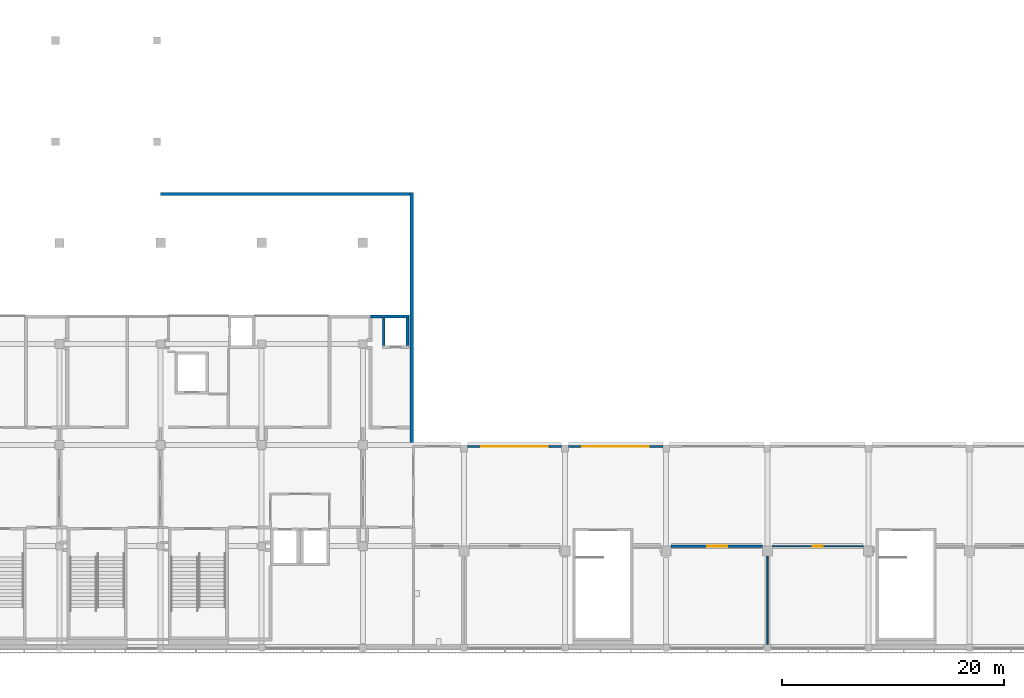
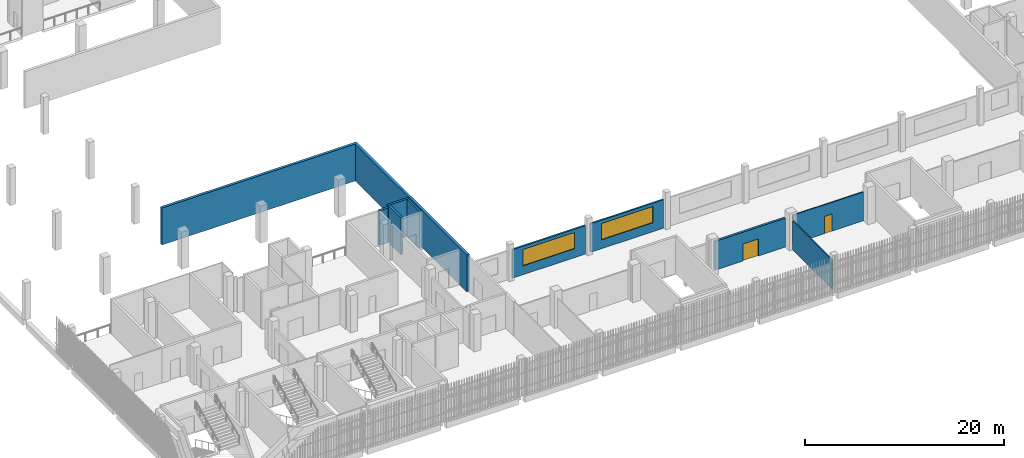
# One storey, part 56 of 104: 11 walls, 2 doors, 2 windows, 4 openings.
"""IFC4 building model written with IfcOpenShell, lengths in metres."""

from ifc_helpers import new_model, si_unit, direction, frame, frame_2d, origin, place, context, subcontext, project, spatial, rectangle, extrude, material, layer, layer_set, type_object, element, fill, save


model = new_model("IFC4")

# Units and contexts
model_context = context("Model", 3, precision=1e-05, world=origin(), true_north=direction((0.0, 1.0)))
body_context = subcontext(model_context, "Body", "Model", "MODEL_VIEW")
ifc_project = project(units=[si_unit("LENGTHUNIT", "METRE"), si_unit("AREAUNIT", "SQUARE_METRE"), si_unit("VOLUMEUNIT", "CUBIC_METRE"), si_unit("PLANEANGLEUNIT", "RADIAN"), si_unit("MASSUNIT", "GRAM", prefix="KILO")], contexts=[model_context])

# Site, building, storey
site_placement = place(None, origin())
site = spatial("IfcSite", under=ifc_project, at=site_placement, CompositionType="ELEMENT")
building_placement = place(site_placement, origin())
building = spatial("IfcBuilding", under=site, at=building_placement, Name="Shirokan Park Arena", CompositionType="ELEMENT")
storey_placement = place(building_placement, frame((0.0, 0.0, 10.919921875)))
storey = spatial("IfcBuildingStorey", under=building, at=storey_placement, Name="L02", CompositionType="ELEMENT", Elevation=10.919921875)

# Wall, opening, window
ifc_material_1 = material(Name="Cedar timber lining", Category="wood")
ifc_layer_1 = layer(ifc_material_1, 0.02001953125, Name="Cedar timber lining")
ifc_material_2 = material(Name="Plywood", Category="wood")
ifc_layer_2 = layer(ifc_material_2, 0.01806640625, Name="Plywood")
ifc_material_3 = material(Name="Mineral wool insulation")
ifc_layer_3 = layer(ifc_material_3, 0.14208984375, Name="Mineral wool insulation")
ifc_material_4 = material(Name="Gypsum board")
ifc_layer_4 = layer(ifc_material_4, 0.02001953125, Name="Gypsum board")
ifc_layer_set_1 = layer_set([ifc_layer_1, ifc_layer_2, ifc_layer_3, ifc_layer_4], Name="Cedar timber lining + Plywood + Mineral wool insulation + Gypsum board")
wall_type_1 = type_object("IfcWallType", Name="Bowl front wall 200", PredefinedType="PARTITIONING", material=ifc_layer_set_1)
wall_1_placement = place(storey_placement, frame((45.800048828125, 18.070068359375, 0.0), z_axis=(0.0, 0.0, 1.0), x_axis=(1.0, 0.0, 0.0)))
wall_1 = element("IfcWall", 1, at=wall_1_placement, inside=storey, type_object=wall_type_1, Name="Bowl front wall 200 L02", PredefinedType="PARTITIONING", context=body_context, shape_type="SweptSolid", body=[
    extrude(rectangle(XDim=8.5, YDim=0.199951171875, at=frame_2d((4.25, 0.0))), origin(), (0.0, 0.0, 1.0), 3.5),
])
opening_1_placement = place(wall_1_placement, frame((1.25, 0.0, 1.10009765625)))
opening_1 = element("IfcOpeningElement", 2, at=opening_1_placement, cuts=wall_1, Name="Opening W6", PredefinedType="OPENING", context=body_context, shape_type="SweptSolid", body=[
    extrude(rectangle(XDim=6.0, YDim=2.0, at=frame_2d((3.0, 1.0))), frame((0.0, 0.10986328125, 0.0), z_axis=(0.0, -1.0, 0.0), x_axis=(1.0, 0.0, 0.0)), (0.0, 0.0, 1.0), 0.219970703125),
])
ifc_material_5 = material(Name="Aluminium frame with laminated glass", Category="aluminium")
window_type = type_object("IfcWindowType", Name="Lounge viewing window 6000 x 2000", PartitioningType="SINGLE_PANEL", PredefinedType="WINDOW", material=ifc_material_5)
window_1_placement = place(opening_1_placement, origin())
window_1 = element("IfcWindow", 3, at=window_1_placement, inside=storey, type_object=window_type, Name="Lounge viewing window 6000 x 2000 L02", OverallHeight=2.0, OverallWidth=6.0, PartitioningType="SINGLE_PANEL", PredefinedType="WINDOW", context=body_context, shape_type="SweptSolid", body=[
    extrude(rectangle(XDim=6.0, YDim=2.0, at=frame_2d((3.0, 1.0))), frame((0.0, 0.030029296875, 0.0), z_axis=(0.0, -1.0, 0.0), x_axis=(1.0, 0.0, 0.0)), (0.0, 0.0, 1.0), 0.06005859375),
])
fill(opening_1, window_1)

wall_2_placement = place(storey_placement, frame((54.89990234375, 18.070068359375, 0.0), z_axis=(0.0, 0.0, 1.0), x_axis=(1.0, 0.0, 0.0)))
wall_2 = element("IfcWall", 4, at=wall_2_placement, inside=storey, type_object=wall_type_1, Name="Bowl front wall 200 L02", PredefinedType="PARTITIONING", context=body_context, shape_type="SweptSolid", body=[
    extrude(rectangle(XDim=8.5, YDim=0.199951171875, at=frame_2d((4.25, 0.0))), origin(), (0.0, 0.0, 1.0), 3.5),
])
opening_2_placement = place(wall_2_placement, frame((1.25, 0.0, 1.10009765625)))
opening_2 = element("IfcOpeningElement", 5, at=opening_2_placement, cuts=wall_2, Name="Opening W6", PredefinedType="OPENING", context=body_context, shape_type="SweptSolid", body=[
    extrude(rectangle(XDim=6.0, YDim=2.0, at=frame_2d((3.0, 1.0))), frame((0.0, 0.10986328125, 0.0), z_axis=(0.0, -1.0, 0.0), x_axis=(1.0, 0.0, 0.0)), (0.0, 0.0, 1.0), 0.219970703125),
])
window_2_placement = place(opening_2_placement, origin())
window_2 = element("IfcWindow", 6, at=window_2_placement, inside=storey, type_object=window_type, Name="Lounge viewing window 6000 x 2000 L02", OverallHeight=2.0, OverallWidth=6.0, PartitioningType="SINGLE_PANEL", PredefinedType="WINDOW", context=body_context, shape_type="SweptSolid", body=[
    extrude(rectangle(XDim=6.0, YDim=2.0, at=frame_2d((3.0, 1.0))), frame((0.0, 0.030029296875, 0.0), z_axis=(0.0, -1.0, 0.0), x_axis=(1.0, 0.0, 0.0)), (0.0, 0.0, 1.0), 0.06005859375),
])
fill(opening_2, window_2)

# Wall, opening, door
ifc_material_6 = material(Name="Plaster")
ifc_layer_5 = layer(ifc_material_6, 0.014892578125, Name="Plaster")
ifc_material_7 = material(Name="Concrete blockwork", Category="masonry")
ifc_layer_6 = layer(ifc_material_7, 0.219970703125, Name="Concrete blockwork 220")
ifc_layer_7 = layer(ifc_material_6, 0.014892578125, Name="Plaster")
ifc_layer_set_2 = layer_set([ifc_layer_5, ifc_layer_6, ifc_layer_7], Name="Plaster + Concrete blockwork 220")
wall_type_2 = type_object("IfcWallType", Name="Compartment wall 250", PredefinedType="SOLIDWALL", material=ifc_layer_set_2)
wall_3_placement = place(storey_placement, frame((72.35009765625, 9.10009765625, 0.0), z_axis=(0.0, 0.0, 1.0), x_axis=(-1.0, 0.0, 0.0)))
wall_3 = element("IfcWall", 7, at=wall_3_placement, inside=storey, type_object=wall_type_2, Name="Compartment wall 250 L02", PredefinedType="SOLIDWALL", context=body_context, shape_type="SweptSolid", body=[
    extrude(rectangle(XDim=8.2001953125, YDim=0.25, at=frame_2d((4.10009765625, 0.0))), origin(), (0.0, 0.0, 1.0), 3.550048828125),
])
opening_3_placement = place(wall_3_placement, frame((3.14990234375, 0.0, 0.0)))
opening_3 = element("IfcOpeningElement", 8, at=opening_3_placement, cuts=wall_3, Name="Opening D-2039", PredefinedType="OPENING", context=body_context, shape_type="SweptSolid", body=[
    extrude(rectangle(XDim=1.800048828125, YDim=2.10009765625, at=frame_2d((0.89990234375, 1.050048828125))), frame((0.0, 0.135009765625, 0.0), z_axis=(0.0, -1.0, 0.0), x_axis=(1.0, 0.0, 0.0)), (0.0, 0.0, 1.0), 0.27001953125),
])
ifc_material_8 = material(Name="Timber door set, fire resisting", Category="wood")
door_type_1 = type_object("IfcDoorType", Name="Double door 1800 x 2100", OperationType="DOUBLE_DOOR_SINGLE_SWING", PredefinedType="DOOR", material=ifc_material_8)
door_1_placement = place(opening_3_placement, origin())
door_1 = element("IfcDoor", 9, at=door_1_placement, inside=storey, type_object=door_type_1, Name="Door to Club Cloakroom 2.13 D-2039", OperationType="DOUBLE_DOOR_SINGLE_SWING", OverallHeight=2.10009765625, OverallWidth=1.800048828125, PredefinedType="DOOR", context=body_context, shape_type="SweptSolid", body=[
    extrude(rectangle(XDim=1.800048828125, YDim=2.10009765625, at=frame_2d((0.89990234375, 1.050048828125))), frame((0.0, 0.02490234375, 0.0), z_axis=(0.0, -1.0, 0.0), x_axis=(1.0, 0.0, 0.0)), (0.0, 0.0, 1.0), 0.050048828125),
])
fill(opening_3, door_1)

# Walls
ifc_layer_8 = layer(ifc_material_6, 0.012451171875, Name="Plaster")
ifc_layer_9 = layer(ifc_material_7, 0.25, Name="Concrete blockwork 250")
ifc_layer_10 = layer(ifc_material_6, 0.012451171875, Name="Plaster")
ifc_layer_set_3 = layer_set([ifc_layer_8, ifc_layer_9, ifc_layer_10], Name="Plaster + Concrete blockwork 250")
wall_type_3 = type_object("IfcWallType", Name="Plant room wall 275", PredefinedType="SOLIDWALL", material=ifc_layer_set_3)
wall_4_placement = place(storey_placement, frame((38.1201171875, 29.77490234375, 0.0), z_axis=(0.0, 0.0, 1.0), x_axis=(-1.0, 0.0, 0.0)))
element("IfcWall", 10, at=wall_4_placement, inside=storey, type_object=wall_type_3, Name="Plant room wall 275 L02", PredefinedType="SOLIDWALL", context=body_context, shape_type="SweptSolid", body=[
    extrude(rectangle(XDim=1.02001953125, YDim=0.27490234375, at=frame_2d((0.510009765625, 0.0))), origin(), (0.0, 0.0, 1.0), 4.25),
])
ifc_material_9 = material(Name="Concrete C35", Category="concrete")
ifc_layer_11 = layer(ifc_material_9, 0.300048828125)
ifc_layer_set_4 = layer_set([ifc_layer_11], Name="Concrete C35 300 mm")
wall_type_4 = type_object("IfcWallType", Name="RC flank wall 300", PredefinedType="SHEAR", material=ifc_layer_set_4)
for number, where, z_axis, x_axis, name in (
    (11, (40.800048828125, 40.949951171875, 0.0), (0.0, 0.0, 1.0), (0.0, -1.0, 0.0), "Flank wall S1 L02"),
    (12, (40.949951171875, 40.800048828125, 0.0), (0.0, 0.0, 1.0), (-1.0, 0.0, 0.0), "Flank wall W1 L02"),
):
    element("IfcWall", number, at=place(storey_placement, frame(where, z_axis=z_axis, x_axis=x_axis)), inside=storey, type_object=wall_type_4, Name=name, PredefinedType="SHEAR", context=body_context, shape_type="SweptSolid", body=[
        extrude(rectangle(XDim=22.75, YDim=0.300048828125, at=frame_2d((11.375, 0.0))), origin(), (0.0, 0.0, 1.0), 4.550048828125),
    ])
ifc_material_10 = material(Name="Concrete C40/50", Category="concrete")
ifc_layer_12 = layer(ifc_material_10, 0.25)
ifc_layer_set_5 = layer_set([ifc_layer_12], Name="Concrete C40/50 250 mm")
wall_type_5 = type_object("IfcWallType", Name="RC shear wall 250", PredefinedType="SHEAR", material=ifc_layer_set_5)
wall_5_placement = place(storey_placement, frame((40.550048828125, 29.77490234375, 0.0), z_axis=(0.0, 0.0, 1.0), x_axis=(-1.0, 0.0, 0.0)))
element("IfcWall", 13, at=wall_5_placement, inside=storey, type_object=wall_type_5, Name="Shaft wall Services Riser 1.1 N L02", PredefinedType="SHEAR", context=body_context, shape_type="SweptSolid", body=[
    extrude(rectangle(XDim=2.400146484375, YDim=0.25, at=frame_2d((1.2001953125, 0.0))), origin(), (0.0, 0.0, 1.0), 4.550048828125),
])
for number, where, z_axis, x_axis, name in (
    (14, (38.27490234375, 29.64990234375, 0.0), (0.0, 0.0, 1.0), (0.0, -1.0, 0.0), "Shaft wall Services Riser 1.1 W L02"),
    (15, (40.425048828125, 29.64990234375, 0.0), (0.0, 0.0, 1.0), (0.0, -1.0, 0.0), "Shaft wall Services Riser 1.1 E L02"),
):
    element("IfcWall", number, at=place(storey_placement, frame(where, z_axis=z_axis, x_axis=x_axis)), inside=storey, type_object=wall_type_5, Name=name, PredefinedType="SHEAR", context=body_context, shape_type="SweptSolid", body=[
        extrude(rectangle(XDim=2.5, YDim=0.25, at=frame_2d((1.25, 0.0))), origin(), (0.0, 0.0, 1.0), 4.550048828125),
    ])
ifc_material_11 = material(Name="Ceramic tile")
ifc_layer_13 = layer(ifc_material_11, 0.010009765625, Name="Ceramic tile")
ifc_material_12 = material(Name="Cement board")
ifc_layer_14 = layer(ifc_material_12, 0.012451171875, Name="Cement board")
ifc_layer_15 = layer(ifc_material_3, 0.080078125, Name="Mineral wool insulation")
ifc_layer_16 = layer(ifc_material_12, 0.012451171875, Name="Cement board")
ifc_layer_17 = layer(ifc_material_11, 0.010009765625, Name="Ceramic tile")
ifc_layer_set_6 = layer_set([ifc_layer_13, ifc_layer_14, ifc_layer_15, ifc_layer_16, ifc_layer_17], Name="Ceramic tile + Cement board + Mineral wool insulation")
wall_type_6 = type_object("IfcWallType", Name="Wet-area wall 125", PredefinedType="PARTITIONING", material=ifc_layer_set_6)
wall_6_placement = place(storey_placement, frame((72.800048828125, 8.199951171875, 0.0), z_axis=(0.0, 0.0, 1.0), x_axis=(0.0, -1.0, 0.0)))
element("IfcWall", 16, at=wall_6_placement, inside=storey, type_object=wall_type_6, Name="Wet-area wall 125 L02", PredefinedType="PARTITIONING", context=body_context, shape_type="SweptSolid", body=[
    extrude(rectangle(XDim=7.949951171875, YDim=0.125, at=frame_2d((3.97509765625, 0.0))), origin(), (0.0, 0.0, 1.0), 3.550048828125),
])

# Wall, opening, door
wall_7_placement = place(storey_placement, frame((81.449951171875, 9.10009765625, 0.0), z_axis=(0.0, 0.0, 1.0), x_axis=(-1.0, 0.0, 0.0)))
wall_7 = element("IfcWall", 17, at=wall_7_placement, inside=storey, type_object=wall_type_6, Name="Wet-area wall 125 L02", PredefinedType="PARTITIONING", context=body_context, shape_type="SweptSolid", body=[
    extrude(rectangle(XDim=8.199951171875, YDim=0.125, at=frame_2d((4.10009765625, 0.0))), origin(), (0.0, 0.0, 1.0), 3.550048828125),
])
opening_4_placement = place(wall_7_placement, frame((3.64990234375, 0.0, 0.0)))
opening_4 = element("IfcOpeningElement", 18, at=opening_4_placement, cuts=wall_7, Name="Opening D-2040", PredefinedType="OPENING", context=body_context, shape_type="SweptSolid", body=[
    extrude(rectangle(XDim=0.89990234375, YDim=2.10009765625, at=frame_2d((0.449951171875, 1.050048828125))), frame((0.0, 0.072509765625, 0.0), z_axis=(0.0, -1.0, 0.0), x_axis=(1.0, 0.0, 0.0)), (0.0, 0.0, 1.0), 0.14501953125),
])
door_type_2 = type_object("IfcDoorType", Name="Door 900 x 2100", OperationType="SINGLE_SWING_LEFT", PredefinedType="DOOR", material=ifc_material_8)
door_2_placement = place(opening_4_placement, origin())
door_2 = element("IfcDoor", 19, at=door_2_placement, inside=storey, type_object=door_type_2, Name="Door to Women's WC 2.14 D-2040", OperationType="SINGLE_SWING_RIGHT", OverallHeight=2.10009765625, OverallWidth=0.89990234375, PredefinedType="DOOR", context=body_context, shape_type="SweptSolid", body=[
    extrude(rectangle(XDim=0.89990234375, YDim=2.10009765625, at=frame_2d((0.449951171875, 1.050048828125))), frame((0.0, 0.02490234375, 0.0), z_axis=(0.0, -1.0, 0.0), x_axis=(1.0, 0.0, 0.0)), (0.0, 0.0, 1.0), 0.050048828125),
])
fill(opening_4, door_2)

save(model, "model.ifc")
